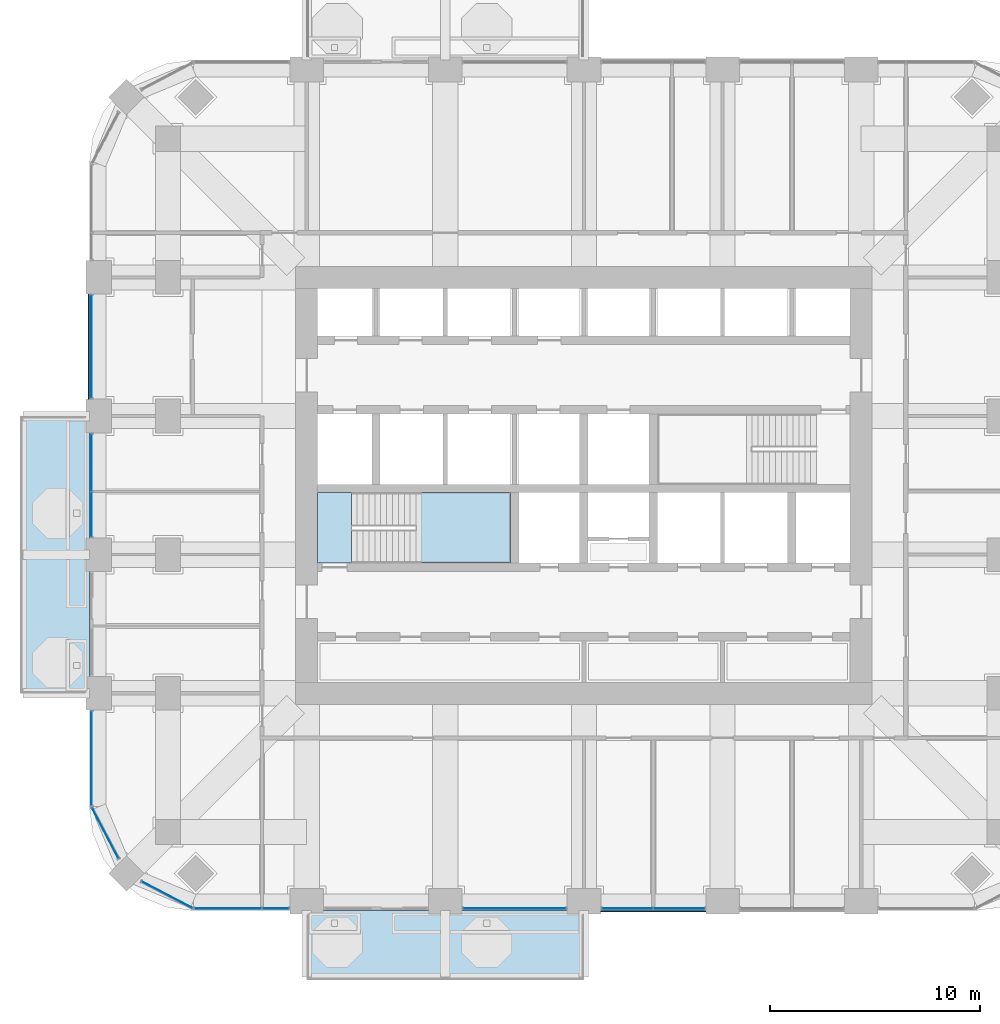
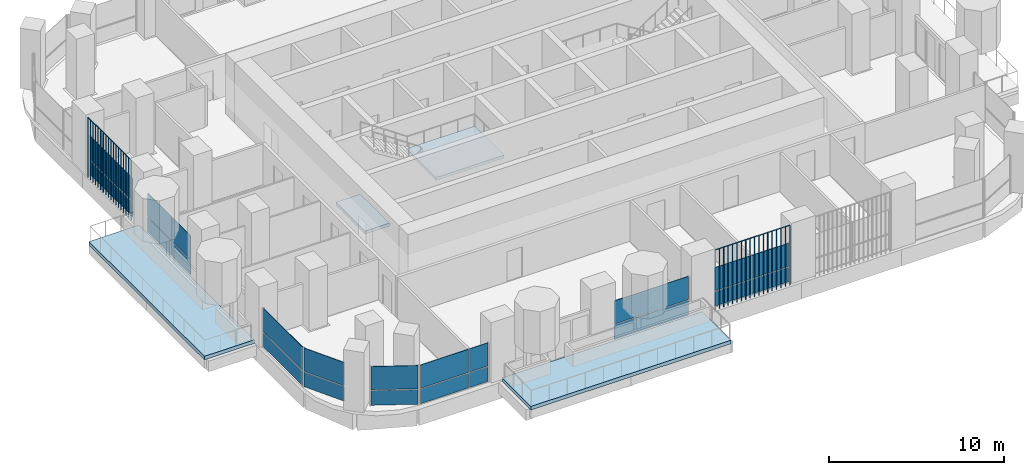
# One storey, part 8 of 20: 24 plates, 4 slabs, 9 elements without a shape of their own.
"""IFC4 building model written with IfcOpenShell, lengths in metres."""

import ifcopenshell
import ifcopenshell.guid

model = None  # the IFC model being written
_history = None  # IfcOwnerHistory: only IFC2X3 demands one
_inside = {}  # id of a spatial element -> (the spatial element, [elements in it])
_under = {}  # id of a project, library or spatial element -> (it, [spatial elements below it])
_declared = {}  # id of a project -> (the project, [libraries it declares])
_typed = {}  # id of a type object -> (the type object, [elements of that type])
_made_of = {}  # id of a material, layer set ... -> (it, [elements and type objects made of it])


def new_model(schema):
    """Start an empty IFC model of exactly this schema.

    Asked for "IFC4X3", IfcOpenShell would pick the latest addendum, in which some entities
    have other attributes; the version numbers below select the first issue.
    IFC2X3 requires an IfcOwnerHistory on every rooted entity: one is made here for all.
    """
    global model, _history
    if schema == "IFC4X3":
        model = ifcopenshell.file(schema_version=(4, 3, 0, 0))
    else:
        model = ifcopenshell.file(schema=schema)
    _inside.clear()
    _under.clear()
    _declared.clear()
    _typed.clear()
    _made_of.clear()
    _history = None
    if model.schema == "IFC2X3":
        org = make("IfcOrganization", Name="unknown")
        user = make(
            "IfcPersonAndOrganization",
            ThePerson=make("IfcPerson", FamilyName="unknown"),
            TheOrganization=org,
        )
        app = make(
            "IfcApplication",
            ApplicationDeveloper=org,
            Version="unknown",
            ApplicationFullName="unknown",
            ApplicationIdentifier="unknown",
        )
        _history = make(
            "IfcOwnerHistory",
            OwningUser=user,
            OwningApplication=app,
            ChangeAction="ADDED",
            CreationDate=0,
        )
    return model


def make(cls, **values):
    """One entity of the class cls with the attributes given. An attribute that is None is left unset."""
    return model.create_entity(
        cls, **{name: value for name, value in values.items() if value is not None}
    )


def rooted(cls, **values):
    """An entity with a GlobalId (a new one), such as an element, a storey or a relation."""
    return make(cls, GlobalId=ifcopenshell.guid.new(), OwnerHistory=_history, **values)


def si_unit(unit_type, name, prefix=None):
    """IfcSIUnit, for example si_unit("LENGTHUNIT", "METRE", prefix="MILLI")."""
    return make("IfcSIUnit", UnitType=unit_type, Prefix=prefix, Name=name)


def assignment(units):
    """IfcUnitAssignment: the units of a project."""
    return None if units is None else make("IfcUnitAssignment", Units=units)


def point(xyz):
    """IfcCartesianPoint."""
    return None if xyz is None else make("IfcCartesianPoint", Coordinates=xyz)


def direction(xyz):
    """IfcDirection."""
    return None if xyz is None else make("IfcDirection", DirectionRatios=xyz)


def frame(location, z_axis=None, x_axis=None):
    """IfcAxis2Placement3D, a coordinate frame: its origin and axes. An axis left out is left unset."""
    return make(
        "IfcAxis2Placement3D",
        Location=point(location),
        Axis=direction(z_axis),
        RefDirection=direction(x_axis),
    )


def frame_2d(location, x_axis=None):
    """IfcAxis2Placement2D, a coordinate frame in the plane: its origin and x axis."""
    return make(
        "IfcAxis2Placement2D", Location=point(location), RefDirection=direction(x_axis)
    )


def origin():
    """The frame at (0, 0, 0) with its axes left unset."""
    return frame((0.0, 0.0, 0.0))


def origin_2d():
    """The frame at (0, 0) in the plane with its x axis left unset."""
    return frame_2d((0.0, 0.0))


def place(relative_to, where):
    """IfcLocalPlacement: puts the frame where relative to a parent placement (None: the world)."""
    return make(
        "IfcLocalPlacement", PlacementRelTo=relative_to, RelativePlacement=where
    )


def context(
    kind, dimensions, precision=None, world=None, true_north=None, identifier=None
):
    """IfcGeometricRepresentationContext, for example the 3D "Model" context."""
    return make(
        "IfcGeometricRepresentationContext",
        ContextIdentifier=identifier,
        ContextType=kind,
        CoordinateSpaceDimension=dimensions,
        Precision=precision,
        WorldCoordinateSystem=world,
        TrueNorth=true_north,
    )


def subcontext(parent, identifier, kind, view, scale=None):
    """IfcGeometricRepresentationSubContext, for example "Body" below "Model"."""
    return make(
        "IfcGeometricRepresentationSubContext",
        ContextIdentifier=identifier,
        ContextType=kind,
        ParentContext=parent,
        TargetScale=scale,
        TargetView=view,
    )


def project(units=None, contexts=None):
    """IfcProject with its units and contexts."""
    return rooted(
        "IfcProject",
        Name="project",
        RepresentationContexts=contexts,
        UnitsInContext=assignment(units),
    )


def spatial(cls, under=None, at=None, **own):
    """A site, building, storey or space (cls), placed at a placement, below another one or the project."""
    s = rooted(cls, ObjectPlacement=at, **own)
    if under is not None:
        _under.setdefault(under.id(), (under, []))[1].append(s)
    return s


def polyline(points):
    """IfcPolyline through the points."""
    return make("IfcPolyline", Points=[point(p) for p in points])


def profile(cls, at=None, kind="AREA", **sizes):
    """A parametric profile (cls). Its sizes go by their IFC names, for example OverallWidth=200.0."""
    return make(cls, ProfileType=kind, Position=at, **sizes)


def rectangle(**sizes):
    """IfcRectangleProfileDef."""
    return profile("IfcRectangleProfileDef", **sizes)


def outline(outer, holes=None, kind="AREA"):
    """IfcArbitraryClosedProfileDef: a profile drawn as a closed curve; with holes, ...WithVoids."""
    if holes is None:
        return make("IfcArbitraryClosedProfileDef", ProfileType=kind, OuterCurve=outer)
    return make(
        "IfcArbitraryProfileDefWithVoids",
        ProfileType=kind,
        OuterCurve=outer,
        InnerCurves=holes,
    )


def extrude(swept, where, along, depth):
    """IfcExtrudedAreaSolid: the profile swept, set in the frame where, extruded along a direction by depth."""
    return make(
        "IfcExtrudedAreaSolid",
        SweptArea=swept,
        Position=where,
        ExtrudedDirection=direction(along),
        Depth=depth,
    )


def shape(context_of_items, identifier, shape_type, items):
    """IfcShapeRepresentation: the items that make up one representation, for example the "Body"."""
    return make(
        "IfcShapeRepresentation",
        ContextOfItems=context_of_items,
        RepresentationIdentifier=identifier,
        RepresentationType=shape_type,
        Items=items,
    )


def material(Name=None, Category=None):
    """IfcMaterial."""
    return make("IfcMaterial", Name=Name, Category=Category)


def layer(
    of_material, thickness, ventilated=None, Name=None, Category=None, Priority=None
):
    """IfcMaterialLayer: one layer of a wall or slab, of a material (None: an air gap)."""
    return make(
        "IfcMaterialLayer",
        Material=of_material,
        LayerThickness=thickness,
        IsVentilated=ventilated,
        Name=Name,
        Category=Category,
        Priority=Priority,
    )


def layer_set(layers, Name=None):
    """IfcMaterialLayerSet."""
    return make("IfcMaterialLayerSet", MaterialLayers=layers, LayerSetName=Name)


def made_of(thing, what):
    """Note that an element or type object is made of a material, layer set ...; save() writes the relation."""
    if what is not None:
        _made_of.setdefault(what.id(), (what, []))[1].append(thing)
    return thing


def type_object(cls, material=None, **own):
    """A type object (cls), such as IfcWallType, which elements share."""
    return made_of(rooted(cls, **own), material)


def element(
    cls,
    number,
    at=None,
    inside=None,
    cuts=None,
    type_object=None,
    material=None,
    context=None,
    identifier="Body",
    shape_type=None,
    held_by="IfcProductDefinitionShape",
    body=None,
    shapes=None,
    **own,
):
    """One element of the class cls, such as IfcWall. Its Tag is "e" and its number.

    at: its placement. inside: the storey or other place that contains it. cuts: it is an
    opening in that element (IfcRelVoidsElement). A single representation is given by context,
    identifier, shape_type and body (its items); several are given by shapes. held_by: the class
    of the entity that holds the representations. save() writes the other relations.
    """
    e = rooted(cls, Tag="e%d" % number, ObjectPlacement=at, **own)
    if body is not None:
        shapes = [shape(context, identifier, shape_type, body)]
    if shapes is not None:
        e.Representation = make(held_by, Representations=shapes)
    if inside is not None:
        _inside.setdefault(inside.id(), (inside, []))[1].append(e)
    if cuts is not None:
        rooted(
            "IfcRelVoidsElement", RelatingBuildingElement=cuts, RelatedOpeningElement=e
        )
    if type_object is not None:
        _typed.setdefault(type_object.id(), (type_object, []))[1].append(e)
    return made_of(e, material)


def aggregate(whole, parts):
    """IfcRelAggregates: a whole, such as a stair, and the parts it consists of."""
    return rooted("IfcRelAggregates", RelatingObject=whole, RelatedObjects=parts)


def save(model, path):
    """Write the relations noted so far, then the file.

    IfcRelAggregates (storeys below a building ...), IfcRelContainedInSpatialStructure (elements
    in a storey), IfcRelDefinesByType, IfcRelAssociatesMaterial and IfcRelDeclares: one each for
    every whole, place, type object, material and project.
    """
    for whole, parts in _under.values():
        aggregate(whole, parts)
    for where, things in _inside.values():
        rooted(
            "IfcRelContainedInSpatialStructure",
            RelatedElements=things,
            RelatingStructure=where,
        )
    for kind, things in _typed.values():
        rooted("IfcRelDefinesByType", RelatedObjects=things, RelatingType=kind)
    for what, things in _made_of.values():
        rooted("IfcRelAssociatesMaterial", RelatedObjects=things, RelatingMaterial=what)
    for by, libraries in _declared.values():
        rooted("IfcRelDeclares", RelatingContext=by, RelatedDefinitions=libraries)
    model.write(path)


model = new_model("IFC4")

# Units and contexts
model_context = context("Model", 3, precision=1e-05, world=origin(), true_north=direction((0.0, 1.0)))
body_context = subcontext(model_context, "Body", "Model", "MODEL_VIEW")
ifc_project = project(units=[si_unit("LENGTHUNIT", "METRE"), si_unit("AREAUNIT", "SQUARE_METRE"), si_unit("VOLUMEUNIT", "CUBIC_METRE"), si_unit("PLANEANGLEUNIT", "RADIAN"), si_unit("MASSUNIT", "GRAM", prefix="KILO")], contexts=[model_context])

# Site, building, storey
site_placement = place(None, origin())
site = spatial("IfcSite", under=ifc_project, at=site_placement, CompositionType="ELEMENT")
building_placement = place(site_placement, origin())
building = spatial("IfcBuilding", under=site, at=building_placement, Name="Cobogo Forest Laboratory Tower", CompositionType="ELEMENT")
storey_placement = place(building_placement, frame((0.0, 0.0, 168.300048828125)))
storey = spatial("IfcBuildingStorey", under=building, at=storey_placement, Name="L38", CompositionType="ELEMENT", Elevation=168.300048828125)

# Slabs
ifc_material_1 = material(Name="Concrete HA-40 (C40/50)", Category="concrete")
ifc_layer_1 = layer(ifc_material_1, 0.25)
ifc_layer_set_1 = layer_set([ifc_layer_1], Name="Balcony slab 250")
slab_type_1 = type_object("IfcSlabType", Name="Balcony slab 250", PredefinedType="FLOOR", material=ifc_layer_set_1)
slab_1_placement = place(storey_placement, frame((0.0, 0.0, -0.25)))
element("IfcSlab", 1, at=slab_1_placement, inside=storey, type_object=slab_type_1, Name="Balcony BAL-S1 L38", PredefinedType="FLOOR", context=body_context, shape_type="SweptSolid", body=[
    extrude(outline(polyline([(13.199951171875, -0.449951171875), (26.39990234375, -0.449951171875), (26.39990234375, 2.85009765625), (13.199951171875, 2.85009765625), (13.199951171875, -0.449951171875)])), origin(), (0.0, 0.0, 1.0), 0.25),
])
slab_2_placement = place(storey_placement, frame((0.0, 0.0, -0.25)))
element("IfcSlab", 2, at=slab_2_placement, inside=storey, type_object=slab_type_1, Name="Balcony BAL-W1 L38", PredefinedType="FLOOR", context=body_context, shape_type="SweptSolid", body=[
    extrude(outline(polyline([(-0.449951171875, 13.199951171875), (2.85009765625, 13.199951171875), (2.85009765625, 26.39990234375), (-0.449951171875, 26.39990234375), (-0.449951171875, 13.199951171875)])), origin(), (0.0, 0.0, 1.0), 0.25),
])

# Curtain wall, plates
ifc_material_2 = material(Name="Aluminium curtain wall", Category="aluminium")
curtain_wall_type = type_object("IfcCurtainWallType", Name="CW-2 unitised curtain wall, solar control glazing, laboratory floors zones C and D", PredefinedType="USERDEFINED", material=ifc_material_2)
curtain_wall_1_placement = place(storey_placement, origin())
curtain_wall_1 = element("IfcCurtainWall", 3, at=curtain_wall_1_placement, inside=storey, type_object=curtain_wall_type, Name="Curtain wall 01 L38", ObjectType="UNITISED CURTAIN WALL", PredefinedType="USERDEFINED")
ifc_material_3 = material(Name="Solar control insulated glass", Category="glass")
ifc_layer_2 = layer(ifc_material_3, 0.031982421875)
ifc_layer_set_2 = layer_set([ifc_layer_2], Name="GP-2 solar control glass unit 32")
plate_type_1 = type_object("IfcPlateType", Name="GP-2 solar control glass unit 32", PredefinedType="CURTAIN_PANEL", material=ifc_layer_set_2)
plate_1_placement = place(storey_placement, frame((9.452392578125, 2.949951171875, 0.0), z_axis=(0.0, 0.0, 1.0), x_axis=(1.0, 0.0, 0.0)))
plate_1 = element("IfcPlate", 4, at=plate_1_placement, type_object=plate_type_1, Name="CW-2 panel 1.1", PredefinedType="CURTAIN_PANEL", context=body_context, shape_type="SweptSolid", body=[
    extrude(rectangle(XDim=3.18505859375, YDim=0.031982421875, at=origin_2d()), origin(), (0.0, 0.0, 1.0), 1.02001953125),
])
plate_2_placement = place(storey_placement, frame((9.452392578125, 2.949951171875, 1.079833984375), z_axis=(0.0, 0.0, 1.0), x_axis=(1.0, 0.0, 0.0)))
plate_2 = element("IfcPlate", 5, at=plate_2_placement, type_object=plate_type_1, Name="CW-2 panel 1.2", PredefinedType="CURTAIN_PANEL", context=body_context, shape_type="SweptSolid", body=[
    extrude(rectangle(XDim=3.18505859375, YDim=0.031982421875, at=origin_2d()), origin(), (0.0, 0.0, 1.0), 1.6201171875),
])
plate_3_placement = place(storey_placement, frame((11.722412109375, 2.949951171875, 0.0), z_axis=(0.0, 0.0, 1.0), x_axis=(1.0, 0.0, 0.0)))
plate_3 = element("IfcPlate", 6, at=plate_3_placement, type_object=plate_type_1, Name="CW-2 panel 2.1", PredefinedType="CURTAIN_PANEL", context=body_context, shape_type="SweptSolid", body=[
    extrude(rectangle(XDim=1.235107421875, YDim=0.031982421875, at=origin_2d()), origin(), (0.0, 0.0, 1.0), 1.02001953125),
])
plate_4_placement = place(storey_placement, frame((11.722412109375, 2.949951171875, 1.079833984375), z_axis=(0.0, 0.0, 1.0), x_axis=(1.0, 0.0, 0.0)))
plate_4 = element("IfcPlate", 7, at=plate_4_placement, type_object=plate_type_1, Name="CW-2 panel 2.2", PredefinedType="CURTAIN_PANEL", context=body_context, shape_type="SweptSolid", body=[
    extrude(rectangle(XDim=1.235107421875, YDim=0.031982421875, at=origin_2d()), origin(), (0.0, 0.0, 1.0), 1.6201171875),
])
aggregate(curtain_wall_1, [plate_1, plate_2, plate_3, plate_4])

curtain_wall_2_placement = place(storey_placement, origin())
curtain_wall_2 = element("IfcCurtainWall", 8, at=curtain_wall_2_placement, inside=storey, type_object=curtain_wall_type, Name="Curtain wall 03 L38", ObjectType="UNITISED CURTAIN WALL", PredefinedType="USERDEFINED")
plate_5_placement = place(storey_placement, frame((23.10009765625, 2.949951171875, 0.0), z_axis=(0.0, 0.0, 1.0), x_axis=(1.0, 0.0, 0.0)))
plate_5 = element("IfcPlate", 9, at=plate_5_placement, type_object=plate_type_1, Name="CW-2 panel 1.1", PredefinedType="CURTAIN_PANEL", context=body_context, shape_type="SweptSolid", body=[
    extrude(rectangle(XDim=4.8798828125, YDim=0.031982421875, at=origin_2d()), origin(), (0.0, 0.0, 1.0), 1.02001953125),
])
plate_6_placement = place(storey_placement, frame((23.10009765625, 2.949951171875, 1.079833984375), z_axis=(0.0, 0.0, 1.0), x_axis=(1.0, 0.0, 0.0)))
plate_6 = element("IfcPlate", 10, at=plate_6_placement, type_object=plate_type_1, Name="CW-2 panel 1.2", PredefinedType="CURTAIN_PANEL", context=body_context, shape_type="SweptSolid", body=[
    extrude(rectangle(XDim=4.8798828125, YDim=0.031982421875, at=origin_2d()), origin(), (0.0, 0.0, 1.0), 1.6201171875),
])
aggregate(curtain_wall_2, [plate_5, plate_6])

curtain_wall_3_placement = place(storey_placement, origin())
curtain_wall_3 = element("IfcCurtainWall", 11, at=curtain_wall_3_placement, inside=storey, type_object=curtain_wall_type, Name="Curtain wall 04 L38", ObjectType="UNITISED CURTAIN WALL", PredefinedType="USERDEFINED")
plate_7_placement = place(storey_placement, frame((28.465087890625, 2.949951171875, 0.0), z_axis=(0.0, 0.0, 1.0), x_axis=(1.0, 0.0, 0.0)))
plate_7 = element("IfcPlate", 12, at=plate_7_placement, type_object=plate_type_1, Name="CW-2 panel 1.1", PredefinedType="CURTAIN_PANEL", context=body_context, shape_type="SweptSolid", body=[
    extrude(rectangle(XDim=2.409912109375, YDim=0.031982421875, at=origin_2d()), origin(), (0.0, 0.0, 1.0), 1.02001953125),
])
plate_8_placement = place(storey_placement, frame((28.465087890625, 2.949951171875, 1.079833984375), z_axis=(0.0, 0.0, 1.0), x_axis=(1.0, 0.0, 0.0)))
plate_8 = element("IfcPlate", 13, at=plate_8_placement, type_object=plate_type_1, Name="CW-2 panel 1.2", PredefinedType="CURTAIN_PANEL", context=body_context, shape_type="SweptSolid", body=[
    extrude(rectangle(XDim=2.409912109375, YDim=0.031982421875, at=origin_2d()), origin(), (0.0, 0.0, 1.0), 1.6201171875),
])
plate_9_placement = place(storey_placement, frame((30.93505859375, 2.949951171875, 0.0), z_axis=(0.0, 0.0, 1.0), x_axis=(1.0, 0.0, 0.0)))
plate_9 = element("IfcPlate", 14, at=plate_9_placement, type_object=plate_type_1, Name="CW-2 panel 2.1", PredefinedType="CURTAIN_PANEL", context=body_context, shape_type="SweptSolid", body=[
    extrude(rectangle(XDim=2.409912109375, YDim=0.031982421875, at=origin_2d()), origin(), (0.0, 0.0, 1.0), 1.02001953125),
])
plate_10_placement = place(storey_placement, frame((30.93505859375, 2.949951171875, 1.079833984375), z_axis=(0.0, 0.0, 1.0), x_axis=(1.0, 0.0, 0.0)))
plate_10 = element("IfcPlate", 15, at=plate_10_placement, type_object=plate_type_1, Name="CW-2 panel 2.2", PredefinedType="CURTAIN_PANEL", context=body_context, shape_type="SweptSolid", body=[
    extrude(rectangle(XDim=2.409912109375, YDim=0.031982421875, at=origin_2d()), origin(), (0.0, 0.0, 1.0), 1.6201171875),
])
aggregate(curtain_wall_3, [plate_7, plate_8, plate_9, plate_10])

curtain_wall_4_placement = place(storey_placement, origin())
curtain_wall_4 = element("IfcCurtainWall", 16, at=curtain_wall_4_placement, inside=storey, type_object=curtain_wall_type, Name="Curtain wall 25 L38", ObjectType="UNITISED CURTAIN WALL", PredefinedType="USERDEFINED")
plate_11_placement = place(storey_placement, frame((2.949951171875, 29.699951171875, 0.0), z_axis=(0.0, 0.0, 1.0), x_axis=(0.0, -1.0, 0.0)))
plate_11 = element("IfcPlate", 17, at=plate_11_placement, type_object=plate_type_1, Name="CW-2 panel 1.1", PredefinedType="CURTAIN_PANEL", context=body_context, shape_type="SweptSolid", body=[
    extrude(rectangle(XDim=4.8798828125, YDim=0.031982421875, at=origin_2d()), origin(), (0.0, 0.0, 1.0), 1.02001953125),
])
plate_12_placement = place(storey_placement, frame((2.949951171875, 29.699951171875, 1.079833984375), z_axis=(0.0, 0.0, 1.0), x_axis=(0.0, -1.0, 0.0)))
plate_12 = element("IfcPlate", 18, at=plate_12_placement, type_object=plate_type_1, Name="CW-2 panel 1.2", PredefinedType="CURTAIN_PANEL", context=body_context, shape_type="SweptSolid", body=[
    extrude(rectangle(XDim=4.8798828125, YDim=0.031982421875, at=origin_2d()), origin(), (0.0, 0.0, 1.0), 1.6201171875),
])
aggregate(curtain_wall_4, [plate_11, plate_12])

curtain_wall_5_placement = place(storey_placement, origin())
curtain_wall_5 = element("IfcCurtainWall", 19, at=curtain_wall_5_placement, inside=storey, type_object=curtain_wall_type, Name="Curtain wall 26 L38", ObjectType="UNITISED CURTAIN WALL", PredefinedType="USERDEFINED")
plate_13_placement = place(storey_placement, frame((2.949951171875, 24.18505859375, 0.0), z_axis=(0.0, 0.0, 1.0), x_axis=(0.0, -1.0, 0.0)))
plate_13 = element("IfcPlate", 20, at=plate_13_placement, type_object=plate_type_1, Name="CW-2 panel 1.1", PredefinedType="CURTAIN_PANEL", context=body_context, shape_type="SweptSolid", body=[
    extrude(rectangle(XDim=2.7099609375, YDim=0.031982421875, at=origin_2d()), origin(), (0.0, 0.0, 1.0), 1.02001953125),
])
plate_14_placement = place(storey_placement, frame((2.949951171875, 24.18505859375, 1.079833984375), z_axis=(0.0, 0.0, 1.0), x_axis=(0.0, -1.0, 0.0)))
plate_14 = element("IfcPlate", 21, at=plate_14_placement, type_object=plate_type_1, Name="CW-2 panel 1.2", PredefinedType="CURTAIN_PANEL", context=body_context, shape_type="SweptSolid", body=[
    extrude(rectangle(XDim=2.7099609375, YDim=0.031982421875, at=origin_2d()), origin(), (0.0, 0.0, 1.0), 1.6201171875),
])
plate_15_placement = place(storey_placement, frame((2.949951171875, 21.715087890625, 0.0), z_axis=(0.0, 0.0, 1.0), x_axis=(0.0, -1.0, 0.0)))
plate_15 = element("IfcPlate", 22, at=plate_15_placement, type_object=plate_type_1, Name="CW-2 panel 2.1", PredefinedType="CURTAIN_PANEL", context=body_context, shape_type="SweptSolid", body=[
    extrude(rectangle(XDim=2.110107421875, YDim=0.031982421875, at=origin_2d()), origin(), (0.0, 0.0, 1.0), 1.02001953125),
])
plate_16_placement = place(storey_placement, frame((2.949951171875, 21.715087890625, 1.079833984375), z_axis=(0.0, 0.0, 1.0), x_axis=(0.0, -1.0, 0.0)))
plate_16 = element("IfcPlate", 23, at=plate_16_placement, type_object=plate_type_1, Name="CW-2 panel 2.2", PredefinedType="CURTAIN_PANEL", context=body_context, shape_type="SweptSolid", body=[
    extrude(rectangle(XDim=2.110107421875, YDim=0.031982421875, at=origin_2d()), origin(), (0.0, 0.0, 1.0), 1.6201171875),
])
aggregate(curtain_wall_5, [plate_13, plate_14, plate_15, plate_16])

curtain_wall_6_placement = place(storey_placement, origin())
curtain_wall_6 = element("IfcCurtainWall", 24, at=curtain_wall_6_placement, inside=storey, type_object=curtain_wall_type, Name="Curtain wall 28 L38", ObjectType="UNITISED CURTAIN WALL", PredefinedType="USERDEFINED")
plate_17_placement = place(storey_placement, frame((2.949951171875, 10.10009765625, 0.0), z_axis=(0.0, 0.0, 1.0), x_axis=(0.0, -1.0, 0.0)))
plate_17 = element("IfcPlate", 25, at=plate_17_placement, type_object=plate_type_1, Name="CW-2 panel 1.1", PredefinedType="CURTAIN_PANEL", context=body_context, shape_type="SweptSolid", body=[
    extrude(rectangle(XDim=4.47998046875, YDim=0.031982421875, at=origin_2d()), origin(), (0.0, 0.0, 1.0), 1.02001953125),
])
plate_18_placement = place(storey_placement, frame((2.949951171875, 10.10009765625, 1.079833984375), z_axis=(0.0, 0.0, 1.0), x_axis=(0.0, -1.0, 0.0)))
plate_18 = element("IfcPlate", 26, at=plate_18_placement, type_object=plate_type_1, Name="CW-2 panel 1.2", PredefinedType="CURTAIN_PANEL", context=body_context, shape_type="SweptSolid", body=[
    extrude(rectangle(XDim=4.47998046875, YDim=0.031982421875, at=origin_2d()), origin(), (0.0, 0.0, 1.0), 1.6201171875),
])
aggregate(curtain_wall_6, [plate_17, plate_18])

curtain_wall_7_placement = place(storey_placement, origin())
curtain_wall_7 = element("IfcCurtainWall", 27, at=curtain_wall_7_placement, inside=storey, type_object=curtain_wall_type, Name="Curtain wall 29 L38", ObjectType="UNITISED CURTAIN WALL", PredefinedType="USERDEFINED")
plate_19_placement = place(storey_placement, frame((3.6064453125, 6.547607421875, 0.0), z_axis=(0.0, 0.0, 1.0), x_axis=(0.464283818822, -0.885686477022, 0.0)))
plate_19 = element("IfcPlate", 28, at=plate_19_placement, type_object=plate_type_1, Name="CW-2 panel 1.1", PredefinedType="CURTAIN_PANEL", context=body_context, shape_type="SweptSolid", body=[
    extrude(rectangle(XDim=2.7080078125, YDim=0.031982421875, at=origin_2d()), origin(), (0.0, 0.0, 1.0), 1.02001953125),
])
plate_20_placement = place(storey_placement, frame((3.6064453125, 6.547607421875, 1.079833984375), z_axis=(0.0, 0.0, 1.0), x_axis=(0.464283818822, -0.885686477022, 0.0)))
plate_20 = element("IfcPlate", 29, at=plate_20_placement, type_object=plate_type_1, Name="CW-2 panel 1.2", PredefinedType="CURTAIN_PANEL", context=body_context, shape_type="SweptSolid", body=[
    extrude(rectangle(XDim=2.7080078125, YDim=0.031982421875, at=origin_2d()), origin(), (0.0, 0.0, 1.0), 1.6201171875),
])
aggregate(curtain_wall_7, [plate_19, plate_20])

curtain_wall_8_placement = place(storey_placement, origin())
curtain_wall_8 = element("IfcCurtainWall", 30, at=curtain_wall_8_placement, inside=storey, type_object=curtain_wall_type, Name="Curtain wall 30 L38", ObjectType="UNITISED CURTAIN WALL", PredefinedType="USERDEFINED")
plate_21_placement = place(storey_placement, frame((6.547607421875, 3.6064453125, 0.0), z_axis=(0.0, 0.0, 1.0), x_axis=(0.885686477022, -0.464283818822, 0.0)))
plate_21 = element("IfcPlate", 31, at=plate_21_placement, type_object=plate_type_1, Name="CW-2 panel 1.1", PredefinedType="CURTAIN_PANEL", context=body_context, shape_type="SweptSolid", body=[
    extrude(rectangle(XDim=2.7080078125, YDim=0.031982421875, at=origin_2d()), origin(), (0.0, 0.0, 1.0), 1.02001953125),
])
plate_22_placement = place(storey_placement, frame((6.547607421875, 3.6064453125, 1.079833984375), z_axis=(0.0, 0.0, 1.0), x_axis=(0.885686477022, -0.464283818822, 0.0)))
plate_22 = element("IfcPlate", 32, at=plate_22_placement, type_object=plate_type_1, Name="CW-2 panel 1.2", PredefinedType="CURTAIN_PANEL", context=body_context, shape_type="SweptSolid", body=[
    extrude(rectangle(XDim=2.7080078125, YDim=0.031982421875, at=origin_2d()), origin(), (0.0, 0.0, 1.0), 1.6201171875),
])
aggregate(curtain_wall_8, [plate_21, plate_22])

# Stair, slabs
ifc_material_4 = material(Name="Precast concrete HA-40 (C40/50)", Category="concrete")
stair_type = type_object("IfcStairType", Name="ST24 exit stair 24 risers", PredefinedType="HALF_TURN_STAIR", material=ifc_material_4)
stair_placement = place(storey_placement, origin())
stair = element("IfcStair", 33, at=stair_placement, inside=storey, type_object=stair_type, Name="Stair 1 L38 to L39", PredefinedType="HALF_TURN_STAIR")
ifc_layer_3 = layer(ifc_material_1, 0.199951171875)
ifc_layer_set_3 = layer_set([ifc_layer_3], Name="SL stair landing 200")
slab_type_2 = type_object("IfcSlabType", Name="SL stair landing 200", PredefinedType="LANDING", material=ifc_layer_set_3)
slab_3_placement = place(storey_placement, frame((0.0, 0.0, -0.199951171875)))
slab_3 = element("IfcSlab", 34, at=slab_3_placement, type_object=slab_type_2, Name="ST1 landing 1", PredefinedType="LANDING", context=body_context, shape_type="SweptSolid", body=[
    extrude(outline(polyline([(13.72509765625, 19.39990234375), (15.326904296875, 19.39990234375), (15.326904296875, 22.75), (13.72509765625, 22.75), (13.72509765625, 19.39990234375)])), origin(), (0.0, 0.0, 1.0), 0.199951171875),
])
slab_4_placement = place(storey_placement, frame((0.0, 0.0, 1.89990234375)))
slab_4 = element("IfcSlab", 35, at=slab_4_placement, type_object=slab_type_2, Name="ST1 landing 2", PredefinedType="LANDING", context=body_context, shape_type="SweptSolid", body=[
    extrude(outline(polyline([(18.403076171875, 19.39990234375), (22.89990234375, 19.39990234375), (22.89990234375, 22.75), (18.403076171875, 22.75), (18.403076171875, 19.39990234375)])), origin(), (0.0, 0.0, 1.0), 0.199951171875),
])
aggregate(stair, [slab_3, slab_4])

# Plates
ifc_material_5 = material(Name="Terracotta", Category="masonry")
plate_type_2 = type_object("IfcPlateType", Name="TB1 terracotta baguette screen", PredefinedType="USERDEFINED", material=ifc_material_5)
plate_23_placement = place(storey_placement, frame((27.231201171875, 2.822021484375, -0.150146484375)))
element("IfcPlate", 36, at=plate_23_placement, inside=storey, type_object=plate_type_2, Name="Baguette screen S3 L38", ObjectType="BAGUETTE SCREEN", PredefinedType="USERDEFINED", context=body_context, shape_type="SweptSolid", body=[
    extrude(outline(polyline([(0.02880859375, 0.011962890625), (0.011962890625, 0.02880859375), (-0.011962890625, 0.02880859375), (-0.02880859375, 0.011962890625), (-0.02880859375, -0.011962890625), (-0.011962890625, -0.02880859375), (0.011962890625, -0.02880859375), (0.02880859375, -0.011962890625), (0.02880859375, 0.011962890625)])), frame((0.0, 0.0, 4.168701171875), z_axis=(1.0, 0.0, 0.0), x_axis=(0.0, 1.0, 0.0)), (0.0, 0.0, 1.0), 4.9375),
    extrude(outline(polyline([(0.02880859375, 0.011962890625), (0.011962890625, 0.02880859375), (-0.011962890625, 0.02880859375), (-0.02880859375, 0.011962890625), (-0.02880859375, -0.011962890625), (-0.011962890625, -0.02880859375), (0.011962890625, -0.02880859375), (0.02880859375, -0.011962890625), (0.02880859375, 0.011962890625)])), origin(), (0.0, 0.0, 1.0), 4.137451171875),
    extrude(outline(polyline([(0.02880859375, 0.011962890625), (0.011962890625, 0.02880859375), (-0.011962890625, 0.02880859375), (-0.02880859375, 0.011962890625), (-0.02880859375, -0.011962890625), (-0.011962890625, -0.02880859375), (0.011962890625, -0.02880859375), (0.02880859375, -0.011962890625), (0.02880859375, 0.011962890625)])), frame((0.29052734375, 0.0, 0.0)), (0.0, 0.0, 1.0), 4.137451171875),
    extrude(outline(polyline([(0.02880859375, 0.011962890625), (0.011962890625, 0.02880859375), (-0.011962890625, 0.02880859375), (-0.02880859375, 0.011962890625), (-0.02880859375, -0.011962890625), (-0.011962890625, -0.02880859375), (0.011962890625, -0.02880859375), (0.02880859375, -0.011962890625), (0.02880859375, 0.011962890625)])), frame((0.580810546875, 0.0, 0.0)), (0.0, 0.0, 1.0), 4.137451171875),
    extrude(outline(polyline([(0.02880859375, 0.011962890625), (0.011962890625, 0.02880859375), (-0.011962890625, 0.02880859375), (-0.02880859375, 0.011962890625), (-0.02880859375, -0.011962890625), (-0.011962890625, -0.02880859375), (0.011962890625, -0.02880859375), (0.02880859375, -0.011962890625), (0.02880859375, 0.011962890625)])), frame((0.871337890625, 0.0, 0.0)), (0.0, 0.0, 1.0), 4.137451171875),
    extrude(outline(polyline([(0.02880859375, 0.011962890625), (0.011962890625, 0.02880859375), (-0.011962890625, 0.02880859375), (-0.02880859375, 0.011962890625), (-0.02880859375, -0.011962890625), (-0.011962890625, -0.02880859375), (0.011962890625, -0.02880859375), (0.02880859375, -0.011962890625), (0.02880859375, 0.011962890625)])), frame((1.161865234375, 0.0, 0.0)), (0.0, 0.0, 1.0), 4.137451171875),
    extrude(outline(polyline([(0.02880859375, 0.011962890625), (0.011962890625, 0.02880859375), (-0.011962890625, 0.02880859375), (-0.02880859375, 0.011962890625), (-0.02880859375, -0.011962890625), (-0.011962890625, -0.02880859375), (0.011962890625, -0.02880859375), (0.02880859375, -0.011962890625), (0.02880859375, 0.011962890625)])), frame((1.4521484375, 0.0, 0.0)), (0.0, 0.0, 1.0), 4.137451171875),
    extrude(outline(polyline([(0.02880859375, 0.011962890625), (0.011962890625, 0.02880859375), (-0.011962890625, 0.02880859375), (-0.02880859375, 0.011962890625), (-0.02880859375, -0.011962890625), (-0.011962890625, -0.02880859375), (0.011962890625, -0.02880859375), (0.02880859375, -0.011962890625), (0.02880859375, 0.011962890625)])), frame((1.74267578125, 0.0, 0.0)), (0.0, 0.0, 1.0), 4.137451171875),
    extrude(outline(polyline([(0.02880859375, 0.011962890625), (0.011962890625, 0.02880859375), (-0.011962890625, 0.02880859375), (-0.02880859375, 0.011962890625), (-0.02880859375, -0.011962890625), (-0.011962890625, -0.02880859375), (0.011962890625, -0.02880859375), (0.02880859375, -0.011962890625), (0.02880859375, 0.011962890625)])), frame((2.033203125, 0.0, 0.0)), (0.0, 0.0, 1.0), 4.137451171875),
    extrude(outline(polyline([(0.02880859375, 0.011962890625), (0.011962890625, 0.02880859375), (-0.011962890625, 0.02880859375), (-0.02880859375, 0.011962890625), (-0.02880859375, -0.011962890625), (-0.011962890625, -0.02880859375), (0.011962890625, -0.02880859375), (0.02880859375, -0.011962890625), (0.02880859375, 0.011962890625)])), frame((2.323486328125, 0.0, 0.0)), (0.0, 0.0, 1.0), 4.137451171875),
    extrude(outline(polyline([(0.02880859375, 0.011962890625), (0.011962890625, 0.02880859375), (-0.011962890625, 0.02880859375), (-0.02880859375, 0.011962890625), (-0.02880859375, -0.011962890625), (-0.011962890625, -0.02880859375), (0.011962890625, -0.02880859375), (0.02880859375, -0.011962890625), (0.02880859375, 0.011962890625)])), frame((2.614013671875, 0.0, 0.0)), (0.0, 0.0, 1.0), 4.137451171875),
    extrude(outline(polyline([(0.02880859375, 0.011962890625), (0.011962890625, 0.02880859375), (-0.011962890625, 0.02880859375), (-0.02880859375, 0.011962890625), (-0.02880859375, -0.011962890625), (-0.011962890625, -0.02880859375), (0.011962890625, -0.02880859375), (0.02880859375, -0.011962890625), (0.02880859375, 0.011962890625)])), frame((2.904296875, 0.0, 0.0)), (0.0, 0.0, 1.0), 4.137451171875),
    extrude(outline(polyline([(0.02880859375, 0.011962890625), (0.011962890625, 0.02880859375), (-0.011962890625, 0.02880859375), (-0.02880859375, 0.011962890625), (-0.02880859375, -0.011962890625), (-0.011962890625, -0.02880859375), (0.011962890625, -0.02880859375), (0.02880859375, -0.011962890625), (0.02880859375, 0.011962890625)])), frame((3.19482421875, 0.0, 0.0)), (0.0, 0.0, 1.0), 4.137451171875),
    extrude(outline(polyline([(0.02880859375, 0.011962890625), (0.011962890625, 0.02880859375), (-0.011962890625, 0.02880859375), (-0.02880859375, 0.011962890625), (-0.02880859375, -0.011962890625), (-0.011962890625, -0.02880859375), (0.011962890625, -0.02880859375), (0.02880859375, -0.011962890625), (0.02880859375, 0.011962890625)])), frame((3.4853515625, 0.0, 0.0)), (0.0, 0.0, 1.0), 4.137451171875),
    extrude(outline(polyline([(0.02880859375, 0.011962890625), (0.011962890625, 0.02880859375), (-0.011962890625, 0.02880859375), (-0.02880859375, 0.011962890625), (-0.02880859375, -0.011962890625), (-0.011962890625, -0.02880859375), (0.011962890625, -0.02880859375), (0.02880859375, -0.011962890625), (0.02880859375, 0.011962890625)])), frame((3.775634765625, 0.0, 0.0)), (0.0, 0.0, 1.0), 4.137451171875),
    extrude(outline(polyline([(0.02880859375, 0.011962890625), (0.011962890625, 0.02880859375), (-0.011962890625, 0.02880859375), (-0.02880859375, 0.011962890625), (-0.02880859375, -0.011962890625), (-0.011962890625, -0.02880859375), (0.011962890625, -0.02880859375), (0.02880859375, -0.011962890625), (0.02880859375, 0.011962890625)])), frame((4.066162109375, 0.0, 0.0)), (0.0, 0.0, 1.0), 4.137451171875),
    extrude(outline(polyline([(0.02880859375, 0.011962890625), (0.011962890625, 0.02880859375), (-0.011962890625, 0.02880859375), (-0.02880859375, 0.011962890625), (-0.02880859375, -0.011962890625), (-0.011962890625, -0.02880859375), (0.011962890625, -0.02880859375), (0.02880859375, -0.011962890625), (0.02880859375, 0.011962890625)])), frame((4.356689453125, 0.0, 0.0)), (0.0, 0.0, 1.0), 4.137451171875),
    extrude(outline(polyline([(0.02880859375, 0.011962890625), (0.011962890625, 0.02880859375), (-0.011962890625, 0.02880859375), (-0.02880859375, 0.011962890625), (-0.02880859375, -0.011962890625), (-0.011962890625, -0.02880859375), (0.011962890625, -0.02880859375), (0.02880859375, -0.011962890625), (0.02880859375, 0.011962890625)])), frame((4.64697265625, 0.0, 0.0)), (0.0, 0.0, 1.0), 4.137451171875),
    extrude(outline(polyline([(0.02880859375, 0.011962890625), (0.011962890625, 0.02880859375), (-0.011962890625, 0.02880859375), (-0.02880859375, 0.011962890625), (-0.02880859375, -0.011962890625), (-0.011962890625, -0.02880859375), (0.011962890625, -0.02880859375), (0.02880859375, -0.011962890625), (0.02880859375, 0.011962890625)])), frame((4.9375, 0.0, 0.0)), (0.0, 0.0, 1.0), 4.137451171875),
])
plate_24_placement = place(storey_placement, frame((2.822021484375, 27.231201171875, -0.150146484375)))
element("IfcPlate", 37, at=plate_24_placement, inside=storey, type_object=plate_type_2, Name="Baguette screen W3 L38", ObjectType="BAGUETTE SCREEN", PredefinedType="USERDEFINED", context=body_context, shape_type="SweptSolid", body=[
    extrude(outline(polyline([(0.02880859375, 0.011962890625), (0.011962890625, 0.02880859375), (-0.011962890625, 0.02880859375), (-0.02880859375, 0.011962890625), (-0.02880859375, -0.011962890625), (-0.011962890625, -0.02880859375), (0.011962890625, -0.02880859375), (0.02880859375, -0.011962890625), (0.02880859375, 0.011962890625)])), frame((0.0, 0.0, 4.168701171875), z_axis=(0.0, 1.0, 0.0), x_axis=(-1.0, 0.0, 0.0)), (0.0, 0.0, 1.0), 4.9375),
    extrude(outline(polyline([(0.02880859375, 0.011962890625), (0.011962890625, 0.02880859375), (-0.011962890625, 0.02880859375), (-0.02880859375, 0.011962890625), (-0.02880859375, -0.011962890625), (-0.011962890625, -0.02880859375), (0.011962890625, -0.02880859375), (0.02880859375, -0.011962890625), (0.02880859375, 0.011962890625)])), origin(), (0.0, 0.0, 1.0), 4.137451171875),
    extrude(outline(polyline([(0.02880859375, 0.011962890625), (0.011962890625, 0.02880859375), (-0.011962890625, 0.02880859375), (-0.02880859375, 0.011962890625), (-0.02880859375, -0.011962890625), (-0.011962890625, -0.02880859375), (0.011962890625, -0.02880859375), (0.02880859375, -0.011962890625), (0.02880859375, 0.011962890625)])), frame((0.0, 0.29052734375, 0.0)), (0.0, 0.0, 1.0), 4.137451171875),
    extrude(outline(polyline([(0.02880859375, 0.011962890625), (0.011962890625, 0.02880859375), (-0.011962890625, 0.02880859375), (-0.02880859375, 0.011962890625), (-0.02880859375, -0.011962890625), (-0.011962890625, -0.02880859375), (0.011962890625, -0.02880859375), (0.02880859375, -0.011962890625), (0.02880859375, 0.011962890625)])), frame((0.0, 0.580810546875, 0.0)), (0.0, 0.0, 1.0), 4.137451171875),
    extrude(outline(polyline([(0.02880859375, 0.011962890625), (0.011962890625, 0.02880859375), (-0.011962890625, 0.02880859375), (-0.02880859375, 0.011962890625), (-0.02880859375, -0.011962890625), (-0.011962890625, -0.02880859375), (0.011962890625, -0.02880859375), (0.02880859375, -0.011962890625), (0.02880859375, 0.011962890625)])), frame((0.0, 0.871337890625, 0.0)), (0.0, 0.0, 1.0), 4.137451171875),
    extrude(outline(polyline([(0.02880859375, 0.011962890625), (0.011962890625, 0.02880859375), (-0.011962890625, 0.02880859375), (-0.02880859375, 0.011962890625), (-0.02880859375, -0.011962890625), (-0.011962890625, -0.02880859375), (0.011962890625, -0.02880859375), (0.02880859375, -0.011962890625), (0.02880859375, 0.011962890625)])), frame((0.0, 1.161865234375, 0.0)), (0.0, 0.0, 1.0), 4.137451171875),
    extrude(outline(polyline([(0.02880859375, 0.011962890625), (0.011962890625, 0.02880859375), (-0.011962890625, 0.02880859375), (-0.02880859375, 0.011962890625), (-0.02880859375, -0.011962890625), (-0.011962890625, -0.02880859375), (0.011962890625, -0.02880859375), (0.02880859375, -0.011962890625), (0.02880859375, 0.011962890625)])), frame((0.0, 1.4521484375, 0.0)), (0.0, 0.0, 1.0), 4.137451171875),
    extrude(outline(polyline([(0.02880859375, 0.011962890625), (0.011962890625, 0.02880859375), (-0.011962890625, 0.02880859375), (-0.02880859375, 0.011962890625), (-0.02880859375, -0.011962890625), (-0.011962890625, -0.02880859375), (0.011962890625, -0.02880859375), (0.02880859375, -0.011962890625), (0.02880859375, 0.011962890625)])), frame((0.0, 1.74267578125, 0.0)), (0.0, 0.0, 1.0), 4.137451171875),
    extrude(outline(polyline([(0.02880859375, 0.011962890625), (0.011962890625, 0.02880859375), (-0.011962890625, 0.02880859375), (-0.02880859375, 0.011962890625), (-0.02880859375, -0.011962890625), (-0.011962890625, -0.02880859375), (0.011962890625, -0.02880859375), (0.02880859375, -0.011962890625), (0.02880859375, 0.011962890625)])), frame((0.0, 2.033203125, 0.0)), (0.0, 0.0, 1.0), 4.137451171875),
    extrude(outline(polyline([(0.02880859375, 0.011962890625), (0.011962890625, 0.02880859375), (-0.011962890625, 0.02880859375), (-0.02880859375, 0.011962890625), (-0.02880859375, -0.011962890625), (-0.011962890625, -0.02880859375), (0.011962890625, -0.02880859375), (0.02880859375, -0.011962890625), (0.02880859375, 0.011962890625)])), frame((0.0, 2.323486328125, 0.0)), (0.0, 0.0, 1.0), 4.137451171875),
    extrude(outline(polyline([(0.02880859375, 0.011962890625), (0.011962890625, 0.02880859375), (-0.011962890625, 0.02880859375), (-0.02880859375, 0.011962890625), (-0.02880859375, -0.011962890625), (-0.011962890625, -0.02880859375), (0.011962890625, -0.02880859375), (0.02880859375, -0.011962890625), (0.02880859375, 0.011962890625)])), frame((0.0, 2.614013671875, 0.0)), (0.0, 0.0, 1.0), 4.137451171875),
    extrude(outline(polyline([(0.02880859375, 0.011962890625), (0.011962890625, 0.02880859375), (-0.011962890625, 0.02880859375), (-0.02880859375, 0.011962890625), (-0.02880859375, -0.011962890625), (-0.011962890625, -0.02880859375), (0.011962890625, -0.02880859375), (0.02880859375, -0.011962890625), (0.02880859375, 0.011962890625)])), frame((0.0, 2.904296875, 0.0)), (0.0, 0.0, 1.0), 4.137451171875),
    extrude(outline(polyline([(0.02880859375, 0.011962890625), (0.011962890625, 0.02880859375), (-0.011962890625, 0.02880859375), (-0.02880859375, 0.011962890625), (-0.02880859375, -0.011962890625), (-0.011962890625, -0.02880859375), (0.011962890625, -0.02880859375), (0.02880859375, -0.011962890625), (0.02880859375, 0.011962890625)])), frame((0.0, 3.19482421875, 0.0)), (0.0, 0.0, 1.0), 4.137451171875),
    extrude(outline(polyline([(0.02880859375, 0.011962890625), (0.011962890625, 0.02880859375), (-0.011962890625, 0.02880859375), (-0.02880859375, 0.011962890625), (-0.02880859375, -0.011962890625), (-0.011962890625, -0.02880859375), (0.011962890625, -0.02880859375), (0.02880859375, -0.011962890625), (0.02880859375, 0.011962890625)])), frame((0.0, 3.4853515625, 0.0)), (0.0, 0.0, 1.0), 4.137451171875),
    extrude(outline(polyline([(0.02880859375, 0.011962890625), (0.011962890625, 0.02880859375), (-0.011962890625, 0.02880859375), (-0.02880859375, 0.011962890625), (-0.02880859375, -0.011962890625), (-0.011962890625, -0.02880859375), (0.011962890625, -0.02880859375), (0.02880859375, -0.011962890625), (0.02880859375, 0.011962890625)])), frame((0.0, 3.775634765625, 0.0)), (0.0, 0.0, 1.0), 4.137451171875),
    extrude(outline(polyline([(0.02880859375, 0.011962890625), (0.011962890625, 0.02880859375), (-0.011962890625, 0.02880859375), (-0.02880859375, 0.011962890625), (-0.02880859375, -0.011962890625), (-0.011962890625, -0.02880859375), (0.011962890625, -0.02880859375), (0.02880859375, -0.011962890625), (0.02880859375, 0.011962890625)])), frame((0.0, 4.066162109375, 0.0)), (0.0, 0.0, 1.0), 4.137451171875),
    extrude(outline(polyline([(0.02880859375, 0.011962890625), (0.011962890625, 0.02880859375), (-0.011962890625, 0.02880859375), (-0.02880859375, 0.011962890625), (-0.02880859375, -0.011962890625), (-0.011962890625, -0.02880859375), (0.011962890625, -0.02880859375), (0.02880859375, -0.011962890625), (0.02880859375, 0.011962890625)])), frame((0.0, 4.356689453125, 0.0)), (0.0, 0.0, 1.0), 4.137451171875),
    extrude(outline(polyline([(0.02880859375, 0.011962890625), (0.011962890625, 0.02880859375), (-0.011962890625, 0.02880859375), (-0.02880859375, 0.011962890625), (-0.02880859375, -0.011962890625), (-0.011962890625, -0.02880859375), (0.011962890625, -0.02880859375), (0.02880859375, -0.011962890625), (0.02880859375, 0.011962890625)])), frame((0.0, 4.64697265625, 0.0)), (0.0, 0.0, 1.0), 4.137451171875),
    extrude(outline(polyline([(0.02880859375, 0.011962890625), (0.011962890625, 0.02880859375), (-0.011962890625, 0.02880859375), (-0.02880859375, 0.011962890625), (-0.02880859375, -0.011962890625), (-0.011962890625, -0.02880859375), (0.011962890625, -0.02880859375), (0.02880859375, -0.011962890625), (0.02880859375, 0.011962890625)])), frame((0.0, 4.9375, 0.0)), (0.0, 0.0, 1.0), 4.137451171875),
])

save(model, "model.ifc")
